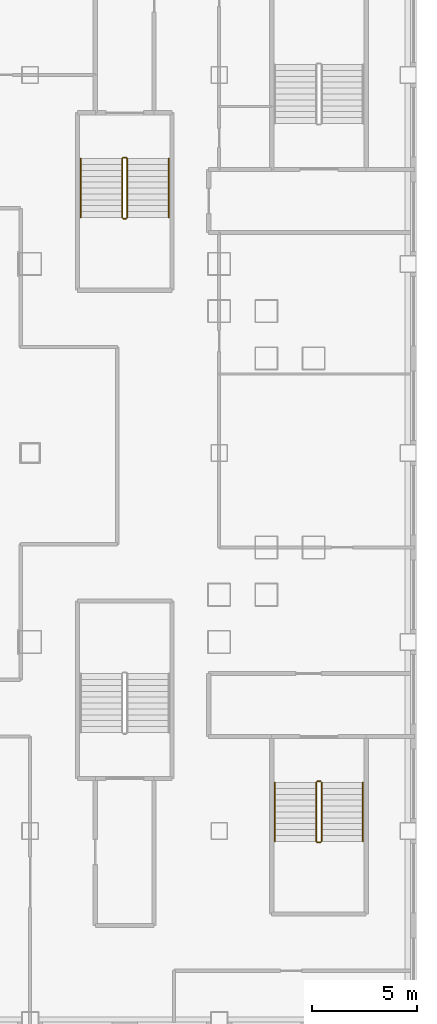
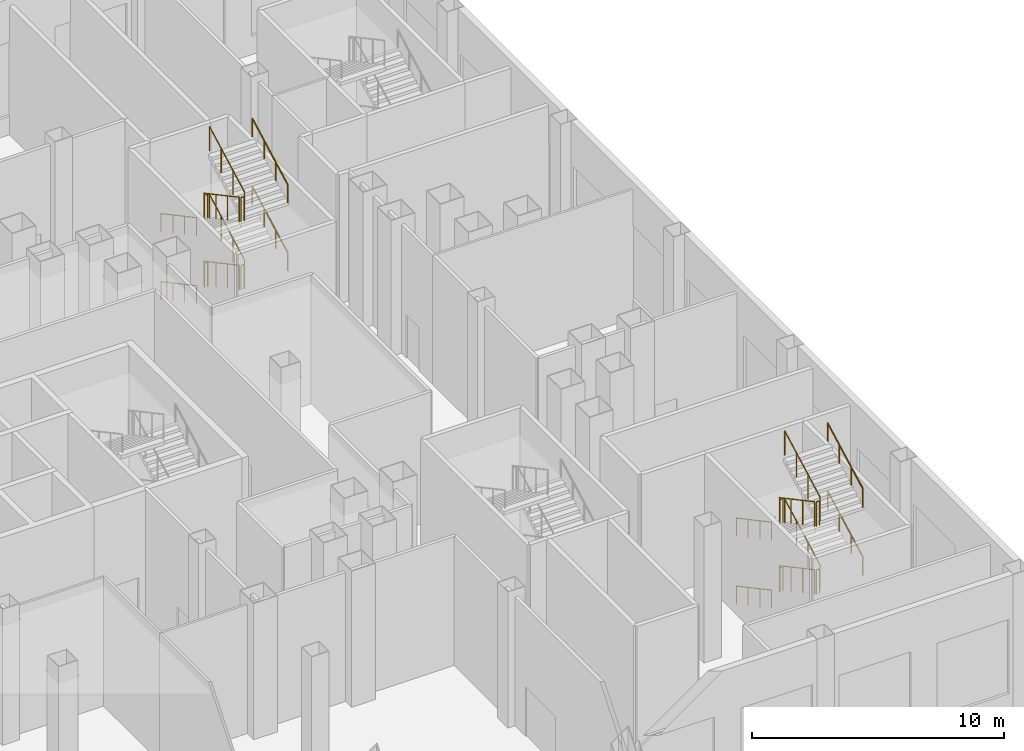
# One storey, part 25 of 26: 24 railings.
"""IFC4 building model written with IfcOpenShell, lengths in metres."""

from ifc_helpers import new_model, si_unit, direction, frame, origin, origin_2d, place, context, subcontext, project, spatial, circle, extrude, material, type_object, element, save


model = new_model("IFC4")

# Units and contexts
model_context = context("Model", 3, precision=1e-05, world=origin(), true_north=direction((0.0, 1.0)))
body_context = subcontext(model_context, "Body", "Model", "MODEL_VIEW")
ifc_project = project(units=[si_unit("LENGTHUNIT", "METRE"), si_unit("AREAUNIT", "SQUARE_METRE"), si_unit("VOLUMEUNIT", "CUBIC_METRE"), si_unit("PLANEANGLEUNIT", "RADIAN"), si_unit("MASSUNIT", "GRAM", prefix="KILO")], contexts=[model_context])

# Site, building, storey
site_placement = place(None, origin())
site = spatial("IfcSite", under=ifc_project, at=site_placement, CompositionType="ELEMENT")
building_placement = place(site_placement, origin())
building = spatial("IfcBuilding", under=site, at=building_placement, Name="Caravel Reach Hotel and Residences", CompositionType="ELEMENT")
storey_placement = place(building_placement, frame((0.0, 0.0, 17.39990234375)))
storey = spatial("IfcBuildingStorey", under=building, at=storey_placement, Name="L03", CompositionType="ELEMENT", Elevation=17.39990234375)

# Railings
ifc_material_1 = material(Name="Steel balustrade with glass infill", Category="steel")
railing_type_1 = type_object("IfcRailingType", Name="Guard 1200", PredefinedType="GUARDRAIL", material=ifc_material_1)
railing_1_placement = place(storey_placement, frame((53.875, 41.010009765625, 0.150146484375)))
element("IfcRailing", 1, at=railing_1_placement, inside=storey, type_object=railing_type_1, Name="L03 ST-P2 stair guard 1", PredefinedType="GUARDRAIL", context=body_context, shape_type="SweptSolid", body=[
    extrude(circle(Radius=0.02392578125, at=origin_2d()), frame((0.0, 0.0, 1.17578125), z_axis=(0.0, -0.881483397762, 0.472215014025), x_axis=(1.0, 0.0, 0.0)), (0.0, 0.0, 1.0), 3.176513671875),
    extrude(circle(Radius=0.02099609375, at=origin_2d()), origin(), (0.0, 0.0, 1.0), 1.15185546875),
    extrude(circle(Radius=0.02099609375, at=origin_2d()), frame((0.0, -0.933349609375, 0.5)), (0.0, 0.0, 1.0), 1.15185546875),
    extrude(circle(Radius=0.02099609375, at=origin_2d()), frame((0.0, -1.86669921875, 1.0)), (0.0, 0.0, 1.0), 1.15185546875),
    extrude(circle(Radius=0.02099609375, at=origin_2d()), frame((0.0, -2.800048828125, 1.5)), (0.0, 0.0, 1.0), 1.15185546875),
])
railing_2_placement = place(storey_placement, frame((53.925048828125, 38.159912109375, 1.650146484375)))
element("IfcRailing", 2, at=railing_2_placement, inside=storey, type_object=railing_type_1, Name="L03 ST-P2 stair guard 2", PredefinedType="GUARDRAIL", context=body_context, shape_type="SweptSolid", body=[
    extrude(circle(Radius=0.02392578125, at=origin_2d()), frame((0.0, 0.0, 1.17578125), z_axis=(1.0, 0.0, 0.0), x_axis=(0.0, 1.0, 0.0)), (0.0, 0.0, 1.0), 0.14990234375),
    extrude(circle(Radius=0.02099609375, at=origin_2d()), origin(), (0.0, 0.0, 1.0), 1.15185546875),
    extrude(circle(Radius=0.02099609375, at=origin_2d()), frame((0.14990234375, 0.0, 0.0)), (0.0, 0.0, 1.0), 1.15185546875),
])
railing_3_placement = place(storey_placement, frame((54.125, 38.2099609375, 1.800048828125)))
element("IfcRailing", 3, at=railing_3_placement, inside=storey, type_object=railing_type_1, Name="L03 ST-P2 stair guard 3", PredefinedType="GUARDRAIL", context=body_context, shape_type="SweptSolid", body=[
    extrude(circle(Radius=0.02392578125, at=origin_2d()), frame((0.0, 0.0, 1.17578125), z_axis=(0.0, 0.881483397762, 0.472215014025), x_axis=(-1.0, 0.0, 0.0)), (0.0, 0.0, 1.0), 3.176513671875),
    extrude(circle(Radius=0.02099609375, at=origin_2d()), origin(), (0.0, 0.0, 1.0), 1.15185546875),
    extrude(circle(Radius=0.02099609375, at=origin_2d()), frame((0.0, 0.933349609375, 0.5)), (0.0, 0.0, 1.0), 1.15185546875),
    extrude(circle(Radius=0.02099609375, at=origin_2d()), frame((0.0, 1.86669921875, 1.0)), (0.0, 0.0, 1.0), 1.15185546875),
    extrude(circle(Radius=0.02099609375, at=origin_2d()), frame((0.0, 2.800048828125, 1.5)), (0.0, 0.0, 1.0), 1.15185546875),
])
railing_4_placement = place(storey_placement, frame((53.925048828125, 41.06005859375, 3.300048828125)))
element("IfcRailing", 4, at=railing_4_placement, inside=storey, type_object=railing_type_1, Name="L03 ST-P2 stair guard 4", PredefinedType="GUARDRAIL", context=body_context, shape_type="SweptSolid", body=[
    extrude(circle(Radius=0.02392578125, at=origin_2d()), frame((0.0, 0.0, 1.17578125), z_axis=(1.0, 0.0, 0.0), x_axis=(0.0, 1.0, 0.0)), (0.0, 0.0, 1.0), 0.14990234375),
    extrude(circle(Radius=0.02099609375, at=origin_2d()), origin(), (0.0, 0.0, 1.0), 1.15185546875),
    extrude(circle(Radius=0.02099609375, at=origin_2d()), frame((0.14990234375, 0.0, 0.0)), (0.0, 0.0, 1.0), 1.15185546875),
])
railing_5_placement = place(storey_placement, frame((53.875, 41.010009765625, 3.4501953125)))
element("IfcRailing", 5, at=railing_5_placement, inside=storey, type_object=railing_type_1, Name="L03 ST-P2 stair guard 5", PredefinedType="GUARDRAIL", context=body_context, shape_type="SweptSolid", body=[
    extrude(circle(Radius=0.02392578125, at=origin_2d()), frame((0.0, 0.0, 1.17578125), z_axis=(0.0, -0.881483397762, 0.472215014025), x_axis=(1.0, 0.0, 0.0)), (0.0, 0.0, 1.0), 3.176513671875),
    extrude(circle(Radius=0.02099609375, at=origin_2d()), origin(), (0.0, 0.0, 1.0), 1.15185546875),
    extrude(circle(Radius=0.02099609375, at=origin_2d()), frame((0.0, -0.933349609375, 0.5)), (0.0, 0.0, 1.0), 1.15185546875),
    extrude(circle(Radius=0.02099609375, at=origin_2d()), frame((0.0, -1.86669921875, 1.0)), (0.0, 0.0, 1.0), 1.15185546875),
    extrude(circle(Radius=0.02099609375, at=origin_2d()), frame((0.0, -2.800048828125, 1.5)), (0.0, 0.0, 1.0), 1.15185546875),
])
railing_6_placement = place(storey_placement, frame((53.925048828125, 38.159912109375, 4.9501953125)))
element("IfcRailing", 6, at=railing_6_placement, inside=storey, type_object=railing_type_1, Name="L03 ST-P2 stair guard 6", PredefinedType="GUARDRAIL", context=body_context, shape_type="SweptSolid", body=[
    extrude(circle(Radius=0.02392578125, at=origin_2d()), frame((0.0, 0.0, 1.17578125), z_axis=(1.0, 0.0, 0.0), x_axis=(0.0, 1.0, 0.0)), (0.0, 0.0, 1.0), 0.14990234375),
    extrude(circle(Radius=0.02099609375, at=origin_2d()), origin(), (0.0, 0.0, 1.0), 1.15185546875),
    extrude(circle(Radius=0.02099609375, at=origin_2d()), frame((0.14990234375, 0.0, 0.0)), (0.0, 0.0, 1.0), 1.15185546875),
])
railing_7_placement = place(storey_placement, frame((54.125, 38.2099609375, 5.10009765625)))
element("IfcRailing", 7, at=railing_7_placement, inside=storey, type_object=railing_type_1, Name="L03 ST-P2 stair guard 7", PredefinedType="GUARDRAIL", context=body_context, shape_type="SweptSolid", body=[
    extrude(circle(Radius=0.02392578125, at=origin_2d()), frame((0.0, 0.0, 1.17578125), z_axis=(0.0, 0.881483397762, 0.472215014025), x_axis=(-1.0, 0.0, 0.0)), (0.0, 0.0, 1.0), 3.176513671875),
    extrude(circle(Radius=0.02099609375, at=origin_2d()), origin(), (0.0, 0.0, 1.0), 1.15185546875),
    extrude(circle(Radius=0.02099609375, at=origin_2d()), frame((0.0, 0.933349609375, 0.5)), (0.0, 0.0, 1.0), 1.15185546875),
    extrude(circle(Radius=0.02099609375, at=origin_2d()), frame((0.0, 1.86669921875, 1.0)), (0.0, 0.0, 1.0), 1.15185546875),
    extrude(circle(Radius=0.02099609375, at=origin_2d()), frame((0.0, 2.800048828125, 1.5)), (0.0, 0.0, 1.0), 1.15185546875),
])
railing_8_placement = place(storey_placement, frame((53.925048828125, 41.06005859375, 0.0)))
element("IfcRailing", 8, at=railing_8_placement, inside=storey, type_object=railing_type_1, Name="L03 ST-P2 stair guard 8", PredefinedType="GUARDRAIL", context=body_context, shape_type="SweptSolid", body=[
    extrude(circle(Radius=0.02392578125, at=origin_2d()), frame((0.0, 0.0, 1.17578125), z_axis=(1.0, 0.0, 0.0), x_axis=(0.0, 1.0, 0.0)), (0.0, 0.0, 1.0), 0.14990234375),
    extrude(circle(Radius=0.02099609375, at=origin_2d()), origin(), (0.0, 0.0, 1.0), 1.15185546875),
    extrude(circle(Radius=0.02099609375, at=origin_2d()), frame((0.14990234375, 0.0, 0.0)), (0.0, 0.0, 1.0), 1.15185546875),
])
railing_9_placement = place(storey_placement, frame((63.125, 11.31005859375, 0.150146484375)))
element("IfcRailing", 9, at=railing_9_placement, inside=storey, type_object=railing_type_1, Name="L03 ST-P7 stair guard 1", PredefinedType="GUARDRAIL", context=body_context, shape_type="SweptSolid", body=[
    extrude(circle(Radius=0.02392578125, at=origin_2d()), frame((0.0, 0.0, 1.17578125), z_axis=(0.0, -0.881483397762, 0.472215014025), x_axis=(1.0, 0.0, 0.0)), (0.0, 0.0, 1.0), 3.176513671875),
    extrude(circle(Radius=0.02099609375, at=origin_2d()), origin(), (0.0, 0.0, 1.0), 1.15185546875),
    extrude(circle(Radius=0.02099609375, at=origin_2d()), frame((0.0, -0.933349609375, 0.5)), (0.0, 0.0, 1.0), 1.15185546875),
    extrude(circle(Radius=0.02099609375, at=origin_2d()), frame((0.0, -1.86669921875, 1.0)), (0.0, 0.0, 1.0), 1.15185546875),
    extrude(circle(Radius=0.02099609375, at=origin_2d()), frame((0.0, -2.800048828125, 1.5)), (0.0, 0.0, 1.0), 1.15185546875),
])
railing_10_placement = place(storey_placement, frame((63.175048828125, 8.4599609375, 1.650146484375)))
element("IfcRailing", 10, at=railing_10_placement, inside=storey, type_object=railing_type_1, Name="L03 ST-P7 stair guard 2", PredefinedType="GUARDRAIL", context=body_context, shape_type="SweptSolid", body=[
    extrude(circle(Radius=0.02392578125, at=origin_2d()), frame((0.0, 0.0, 1.17578125), z_axis=(1.0, 0.0, 0.0), x_axis=(0.0, 1.0, 0.0)), (0.0, 0.0, 1.0), 0.14990234375),
    extrude(circle(Radius=0.02099609375, at=origin_2d()), origin(), (0.0, 0.0, 1.0), 1.15185546875),
    extrude(circle(Radius=0.02099609375, at=origin_2d()), frame((0.14990234375, 0.0, 0.0)), (0.0, 0.0, 1.0), 1.15185546875),
])
railing_11_placement = place(storey_placement, frame((63.375, 8.510009765625, 1.800048828125)))
element("IfcRailing", 11, at=railing_11_placement, inside=storey, type_object=railing_type_1, Name="L03 ST-P7 stair guard 3", PredefinedType="GUARDRAIL", context=body_context, shape_type="SweptSolid", body=[
    extrude(circle(Radius=0.02392578125, at=origin_2d()), frame((0.0, 0.0, 1.17578125), z_axis=(0.0, 0.881483397762, 0.472215014025), x_axis=(-1.0, 0.0, 0.0)), (0.0, 0.0, 1.0), 3.176513671875),
    extrude(circle(Radius=0.02099609375, at=origin_2d()), origin(), (0.0, 0.0, 1.0), 1.15185546875),
    extrude(circle(Radius=0.02099609375, at=origin_2d()), frame((0.0, 0.933349609375, 0.5)), (0.0, 0.0, 1.0), 1.15185546875),
    extrude(circle(Radius=0.02099609375, at=origin_2d()), frame((0.0, 1.86669921875, 1.0)), (0.0, 0.0, 1.0), 1.15185546875),
    extrude(circle(Radius=0.02099609375, at=origin_2d()), frame((0.0, 2.800048828125, 1.5)), (0.0, 0.0, 1.0), 1.15185546875),
])
railing_12_placement = place(storey_placement, frame((63.175048828125, 11.360107421875, 3.300048828125)))
element("IfcRailing", 12, at=railing_12_placement, inside=storey, type_object=railing_type_1, Name="L03 ST-P7 stair guard 4", PredefinedType="GUARDRAIL", context=body_context, shape_type="SweptSolid", body=[
    extrude(circle(Radius=0.02392578125, at=origin_2d()), frame((0.0, 0.0, 1.17578125), z_axis=(1.0, 0.0, 0.0), x_axis=(0.0, 1.0, 0.0)), (0.0, 0.0, 1.0), 0.14990234375),
    extrude(circle(Radius=0.02099609375, at=origin_2d()), origin(), (0.0, 0.0, 1.0), 1.15185546875),
    extrude(circle(Radius=0.02099609375, at=origin_2d()), frame((0.14990234375, 0.0, 0.0)), (0.0, 0.0, 1.0), 1.15185546875),
])
railing_13_placement = place(storey_placement, frame((63.125, 11.31005859375, 3.4501953125)))
element("IfcRailing", 13, at=railing_13_placement, inside=storey, type_object=railing_type_1, Name="L03 ST-P7 stair guard 5", PredefinedType="GUARDRAIL", context=body_context, shape_type="SweptSolid", body=[
    extrude(circle(Radius=0.02392578125, at=origin_2d()), frame((0.0, 0.0, 1.17578125), z_axis=(0.0, -0.881483397762, 0.472215014025), x_axis=(1.0, 0.0, 0.0)), (0.0, 0.0, 1.0), 3.176513671875),
    extrude(circle(Radius=0.02099609375, at=origin_2d()), origin(), (0.0, 0.0, 1.0), 1.15185546875),
    extrude(circle(Radius=0.02099609375, at=origin_2d()), frame((0.0, -0.933349609375, 0.5)), (0.0, 0.0, 1.0), 1.15185546875),
    extrude(circle(Radius=0.02099609375, at=origin_2d()), frame((0.0, -1.86669921875, 1.0)), (0.0, 0.0, 1.0), 1.15185546875),
    extrude(circle(Radius=0.02099609375, at=origin_2d()), frame((0.0, -2.800048828125, 1.5)), (0.0, 0.0, 1.0), 1.15185546875),
])
railing_14_placement = place(storey_placement, frame((63.175048828125, 8.4599609375, 4.9501953125)))
element("IfcRailing", 14, at=railing_14_placement, inside=storey, type_object=railing_type_1, Name="L03 ST-P7 stair guard 6", PredefinedType="GUARDRAIL", context=body_context, shape_type="SweptSolid", body=[
    extrude(circle(Radius=0.02392578125, at=origin_2d()), frame((0.0, 0.0, 1.17578125), z_axis=(1.0, 0.0, 0.0), x_axis=(0.0, 1.0, 0.0)), (0.0, 0.0, 1.0), 0.14990234375),
    extrude(circle(Radius=0.02099609375, at=origin_2d()), origin(), (0.0, 0.0, 1.0), 1.15185546875),
    extrude(circle(Radius=0.02099609375, at=origin_2d()), frame((0.14990234375, 0.0, 0.0)), (0.0, 0.0, 1.0), 1.15185546875),
])
railing_15_placement = place(storey_placement, frame((63.375, 8.510009765625, 5.10009765625)))
element("IfcRailing", 15, at=railing_15_placement, inside=storey, type_object=railing_type_1, Name="L03 ST-P7 stair guard 7", PredefinedType="GUARDRAIL", context=body_context, shape_type="SweptSolid", body=[
    extrude(circle(Radius=0.02392578125, at=origin_2d()), frame((0.0, 0.0, 1.17578125), z_axis=(0.0, 0.881483397762, 0.472215014025), x_axis=(-1.0, 0.0, 0.0)), (0.0, 0.0, 1.0), 3.176513671875),
    extrude(circle(Radius=0.02099609375, at=origin_2d()), origin(), (0.0, 0.0, 1.0), 1.15185546875),
    extrude(circle(Radius=0.02099609375, at=origin_2d()), frame((0.0, 0.933349609375, 0.5)), (0.0, 0.0, 1.0), 1.15185546875),
    extrude(circle(Radius=0.02099609375, at=origin_2d()), frame((0.0, 1.86669921875, 1.0)), (0.0, 0.0, 1.0), 1.15185546875),
    extrude(circle(Radius=0.02099609375, at=origin_2d()), frame((0.0, 2.800048828125, 1.5)), (0.0, 0.0, 1.0), 1.15185546875),
])
railing_16_placement = place(storey_placement, frame((63.175048828125, 11.360107421875, 0.0)))
element("IfcRailing", 16, at=railing_16_placement, inside=storey, type_object=railing_type_1, Name="L03 ST-P7 stair guard 8", PredefinedType="GUARDRAIL", context=body_context, shape_type="SweptSolid", body=[
    extrude(circle(Radius=0.02392578125, at=origin_2d()), frame((0.0, 0.0, 1.17578125), z_axis=(1.0, 0.0, 0.0), x_axis=(0.0, 1.0, 0.0)), (0.0, 0.0, 1.0), 0.14990234375),
    extrude(circle(Radius=0.02099609375, at=origin_2d()), origin(), (0.0, 0.0, 1.0), 1.15185546875),
    extrude(circle(Radius=0.02099609375, at=origin_2d()), frame((0.14990234375, 0.0, 0.0)), (0.0, 0.0, 1.0), 1.15185546875),
])
ifc_material_2 = material(Name="Stainless steel handrail", Category="steel")
railing_type_2 = type_object("IfcRailingType", Name="Handrail 900", PredefinedType="HANDRAIL", material=ifc_material_2)
railing_17_placement = place(storey_placement, frame((51.905029296875, 41.010009765625, 0.150146484375)))
element("IfcRailing", 17, at=railing_17_placement, inside=storey, type_object=railing_type_2, Name="L03 ST-P2 stair handrail 1", PredefinedType="HANDRAIL", context=body_context, shape_type="SweptSolid", body=[
    extrude(circle(Radius=0.02392578125, at=origin_2d()), frame((0.0, 0.0, 0.8759765625), z_axis=(0.0, -0.881483397762, 0.472215014025), x_axis=(1.0, 0.0, 0.0)), (0.0, 0.0, 1.0), 3.176513671875),
    extrude(circle(Radius=0.02099609375, at=origin_2d()), origin(), (0.0, 0.0, 1.0), 0.851806640625),
    extrude(circle(Radius=0.02099609375, at=origin_2d()), frame((0.0, -0.933349609375, 0.5)), (0.0, 0.0, 1.0), 0.851806640625),
    extrude(circle(Radius=0.02099609375, at=origin_2d()), frame((0.0, -1.86669921875, 1.0)), (0.0, 0.0, 1.0), 0.851806640625),
    extrude(circle(Radius=0.02099609375, at=origin_2d()), frame((0.0, -2.800048828125, 1.5)), (0.0, 0.0, 1.0), 0.851806640625),
])
railing_18_placement = place(storey_placement, frame((56.094970703125, 38.2099609375, 1.800048828125)))
element("IfcRailing", 18, at=railing_18_placement, inside=storey, type_object=railing_type_2, Name="L03 ST-P2 stair handrail 2", PredefinedType="HANDRAIL", context=body_context, shape_type="SweptSolid", body=[
    extrude(circle(Radius=0.02392578125, at=origin_2d()), frame((0.0, 0.0, 0.8759765625), z_axis=(0.0, 0.881483397762, 0.472215014025), x_axis=(-1.0, 0.0, 0.0)), (0.0, 0.0, 1.0), 3.176513671875),
    extrude(circle(Radius=0.02099609375, at=origin_2d()), origin(), (0.0, 0.0, 1.0), 0.851806640625),
    extrude(circle(Radius=0.02099609375, at=origin_2d()), frame((0.0, 0.933349609375, 0.5)), (0.0, 0.0, 1.0), 0.851806640625),
    extrude(circle(Radius=0.02099609375, at=origin_2d()), frame((0.0, 1.86669921875, 1.0)), (0.0, 0.0, 1.0), 0.851806640625),
    extrude(circle(Radius=0.02099609375, at=origin_2d()), frame((0.0, 2.800048828125, 1.5)), (0.0, 0.0, 1.0), 0.851806640625),
])
railing_19_placement = place(storey_placement, frame((51.905029296875, 41.010009765625, 3.4501953125)))
element("IfcRailing", 19, at=railing_19_placement, inside=storey, type_object=railing_type_2, Name="L03 ST-P2 stair handrail 3", PredefinedType="HANDRAIL", context=body_context, shape_type="SweptSolid", body=[
    extrude(circle(Radius=0.02392578125, at=origin_2d()), frame((0.0, 0.0, 0.8759765625), z_axis=(0.0, -0.881483397762, 0.472215014025), x_axis=(1.0, 0.0, 0.0)), (0.0, 0.0, 1.0), 3.176513671875),
    extrude(circle(Radius=0.02099609375, at=origin_2d()), origin(), (0.0, 0.0, 1.0), 0.851806640625),
    extrude(circle(Radius=0.02099609375, at=origin_2d()), frame((0.0, -0.933349609375, 0.5)), (0.0, 0.0, 1.0), 0.851806640625),
    extrude(circle(Radius=0.02099609375, at=origin_2d()), frame((0.0, -1.86669921875, 1.0)), (0.0, 0.0, 1.0), 0.851806640625),
    extrude(circle(Radius=0.02099609375, at=origin_2d()), frame((0.0, -2.800048828125, 1.5)), (0.0, 0.0, 1.0), 0.851806640625),
])
railing_20_placement = place(storey_placement, frame((56.094970703125, 38.2099609375, 5.10009765625)))
element("IfcRailing", 20, at=railing_20_placement, inside=storey, type_object=railing_type_2, Name="L03 ST-P2 stair handrail 4", PredefinedType="HANDRAIL", context=body_context, shape_type="SweptSolid", body=[
    extrude(circle(Radius=0.02392578125, at=origin_2d()), frame((0.0, 0.0, 0.8759765625), z_axis=(0.0, 0.881483397762, 0.472215014025), x_axis=(-1.0, 0.0, 0.0)), (0.0, 0.0, 1.0), 3.176513671875),
    extrude(circle(Radius=0.02099609375, at=origin_2d()), origin(), (0.0, 0.0, 1.0), 0.851806640625),
    extrude(circle(Radius=0.02099609375, at=origin_2d()), frame((0.0, 0.933349609375, 0.5)), (0.0, 0.0, 1.0), 0.851806640625),
    extrude(circle(Radius=0.02099609375, at=origin_2d()), frame((0.0, 1.86669921875, 1.0)), (0.0, 0.0, 1.0), 0.851806640625),
    extrude(circle(Radius=0.02099609375, at=origin_2d()), frame((0.0, 2.800048828125, 1.5)), (0.0, 0.0, 1.0), 0.851806640625),
])
railing_21_placement = place(storey_placement, frame((61.155029296875, 11.31005859375, 0.150146484375)))
element("IfcRailing", 21, at=railing_21_placement, inside=storey, type_object=railing_type_2, Name="L03 ST-P7 stair handrail 1", PredefinedType="HANDRAIL", context=body_context, shape_type="SweptSolid", body=[
    extrude(circle(Radius=0.02392578125, at=origin_2d()), frame((0.0, 0.0, 0.8759765625), z_axis=(0.0, -0.881483397762, 0.472215014025), x_axis=(1.0, 0.0, 0.0)), (0.0, 0.0, 1.0), 3.176513671875),
    extrude(circle(Radius=0.02099609375, at=origin_2d()), origin(), (0.0, 0.0, 1.0), 0.851806640625),
    extrude(circle(Radius=0.02099609375, at=origin_2d()), frame((0.0, -0.933349609375, 0.5)), (0.0, 0.0, 1.0), 0.851806640625),
    extrude(circle(Radius=0.02099609375, at=origin_2d()), frame((0.0, -1.86669921875, 1.0)), (0.0, 0.0, 1.0), 0.851806640625),
    extrude(circle(Radius=0.02099609375, at=origin_2d()), frame((0.0, -2.800048828125, 1.5)), (0.0, 0.0, 1.0), 0.851806640625),
])
railing_22_placement = place(storey_placement, frame((65.344970703125, 8.510009765625, 1.800048828125)))
element("IfcRailing", 22, at=railing_22_placement, inside=storey, type_object=railing_type_2, Name="L03 ST-P7 stair handrail 2", PredefinedType="HANDRAIL", context=body_context, shape_type="SweptSolid", body=[
    extrude(circle(Radius=0.02392578125, at=origin_2d()), frame((0.0, 0.0, 0.8759765625), z_axis=(0.0, 0.881483397762, 0.472215014025), x_axis=(-1.0, 0.0, 0.0)), (0.0, 0.0, 1.0), 3.176513671875),
    extrude(circle(Radius=0.02099609375, at=origin_2d()), origin(), (0.0, 0.0, 1.0), 0.851806640625),
    extrude(circle(Radius=0.02099609375, at=origin_2d()), frame((0.0, 0.933349609375, 0.5)), (0.0, 0.0, 1.0), 0.851806640625),
    extrude(circle(Radius=0.02099609375, at=origin_2d()), frame((0.0, 1.86669921875, 1.0)), (0.0, 0.0, 1.0), 0.851806640625),
    extrude(circle(Radius=0.02099609375, at=origin_2d()), frame((0.0, 2.800048828125, 1.5)), (0.0, 0.0, 1.0), 0.851806640625),
])
railing_23_placement = place(storey_placement, frame((61.155029296875, 11.31005859375, 3.4501953125)))
element("IfcRailing", 23, at=railing_23_placement, inside=storey, type_object=railing_type_2, Name="L03 ST-P7 stair handrail 3", PredefinedType="HANDRAIL", context=body_context, shape_type="SweptSolid", body=[
    extrude(circle(Radius=0.02392578125, at=origin_2d()), frame((0.0, 0.0, 0.8759765625), z_axis=(0.0, -0.881483397762, 0.472215014025), x_axis=(1.0, 0.0, 0.0)), (0.0, 0.0, 1.0), 3.176513671875),
    extrude(circle(Radius=0.02099609375, at=origin_2d()), origin(), (0.0, 0.0, 1.0), 0.851806640625),
    extrude(circle(Radius=0.02099609375, at=origin_2d()), frame((0.0, -0.933349609375, 0.5)), (0.0, 0.0, 1.0), 0.851806640625),
    extrude(circle(Radius=0.02099609375, at=origin_2d()), frame((0.0, -1.86669921875, 1.0)), (0.0, 0.0, 1.0), 0.851806640625),
    extrude(circle(Radius=0.02099609375, at=origin_2d()), frame((0.0, -2.800048828125, 1.5)), (0.0, 0.0, 1.0), 0.851806640625),
])
railing_24_placement = place(storey_placement, frame((65.344970703125, 8.510009765625, 5.10009765625)))
element("IfcRailing", 24, at=railing_24_placement, inside=storey, type_object=railing_type_2, Name="L03 ST-P7 stair handrail 4", PredefinedType="HANDRAIL", context=body_context, shape_type="SweptSolid", body=[
    extrude(circle(Radius=0.02392578125, at=origin_2d()), frame((0.0, 0.0, 0.8759765625), z_axis=(0.0, 0.881483397762, 0.472215014025), x_axis=(-1.0, 0.0, 0.0)), (0.0, 0.0, 1.0), 3.176513671875),
    extrude(circle(Radius=0.02099609375, at=origin_2d()), origin(), (0.0, 0.0, 1.0), 0.851806640625),
    extrude(circle(Radius=0.02099609375, at=origin_2d()), frame((0.0, 0.933349609375, 0.5)), (0.0, 0.0, 1.0), 0.851806640625),
    extrude(circle(Radius=0.02099609375, at=origin_2d()), frame((0.0, 1.86669921875, 1.0)), (0.0, 0.0, 1.0), 0.851806640625),
    extrude(circle(Radius=0.02099609375, at=origin_2d()), frame((0.0, 2.800048828125, 1.5)), (0.0, 0.0, 1.0), 0.851806640625),
])

save(model, "model.ifc")
